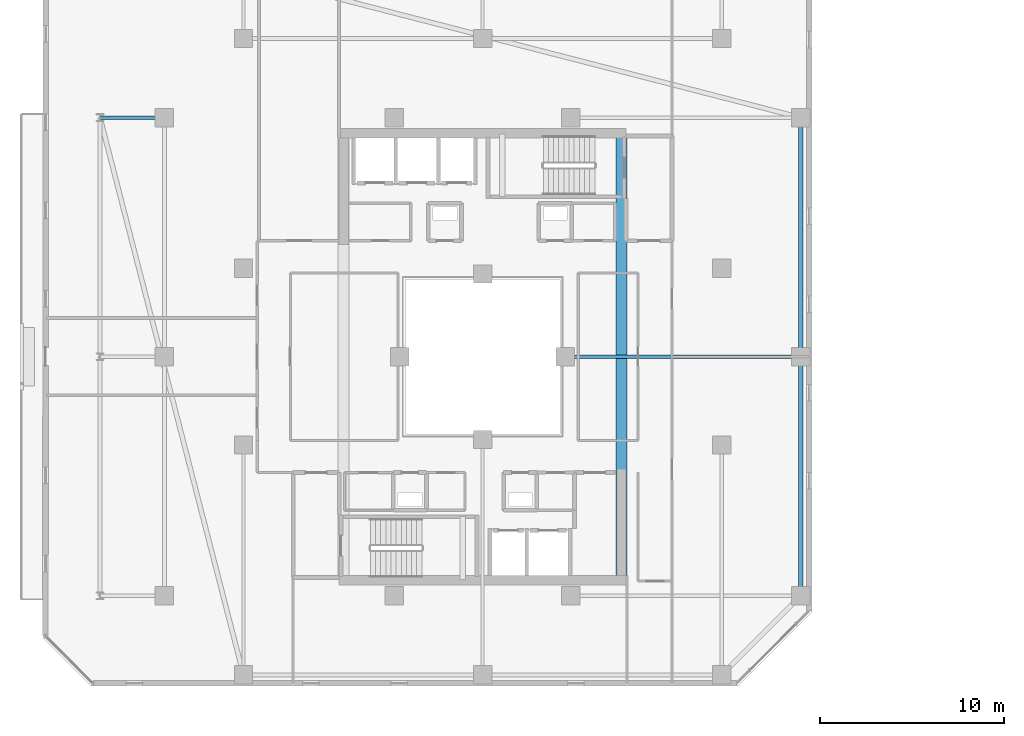
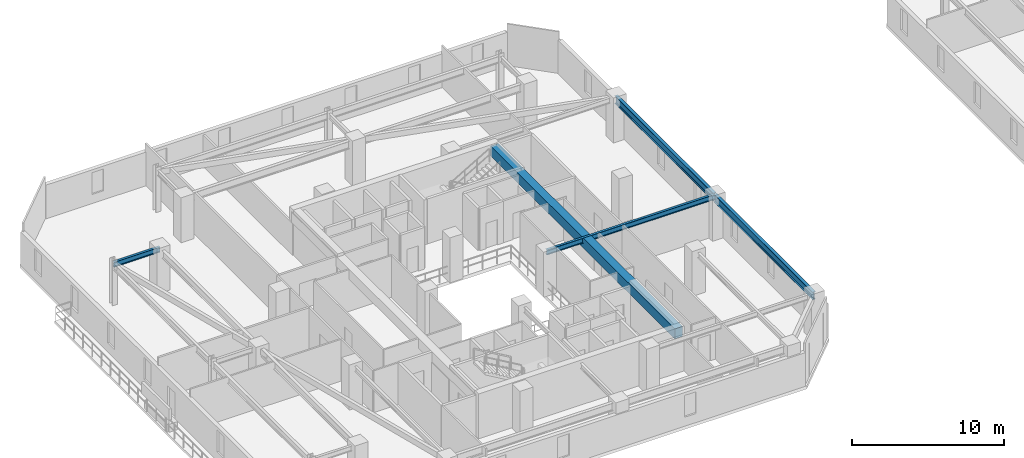
# One storey, part 6 of 33: 5 beams.
"""IFC4 building model written with IfcOpenShell, lengths in metres."""

from ifc_helpers import new_model, si_unit, direction, frame, origin, origin_2d, place, context, subcontext, project, spatial, rectangle, i_section, extrude, material, material_profile, profile_set, type_object, element, save


model = new_model("IFC4")

# Units and contexts
model_context = context("Model", 3, precision=1e-05, world=origin(), true_north=direction((0.0, 1.0)))
body_context = subcontext(model_context, "Body", "Model", "MODEL_VIEW")
ifc_project = project(units=[si_unit("LENGTHUNIT", "METRE"), si_unit("AREAUNIT", "SQUARE_METRE"), si_unit("VOLUMEUNIT", "CUBIC_METRE"), si_unit("PLANEANGLEUNIT", "RADIAN"), si_unit("MASSUNIT", "GRAM", prefix="KILO")], contexts=[model_context])

# Site, building, storey
site_placement = place(None, origin())
site = spatial("IfcSite", under=ifc_project, at=site_placement, CompositionType="ELEMENT")
building_placement = place(site_placement, origin())
building = spatial("IfcBuilding", under=site, at=building_placement, Name="Thornwick Lancets Civic Towers", CompositionType="ELEMENT")
storey_placement = place(building_placement, frame((0.0, 0.0, 203.699951171875)))
storey = spatial("IfcBuildingStorey", under=building, at=storey_placement, Name="L54", CompositionType="ELEMENT", Elevation=203.699951171875)

# Beams
ifc_material_1 = material(Name="Concrete C60/75", Category="concrete")
ifc_material_profile_1 = material_profile(ifc_material_1, rectangle(XDim=0.60009765625, YDim=0.800048828125, at=origin_2d()), Name="RC 600x800")
ifc_profile_set_1 = profile_set([ifc_material_profile_1], Name="Concrete C60/75")
beam_type_1 = type_object("IfcBeamType", Name="BM_COUP_RC800", PredefinedType="BEAM", material=ifc_profile_set_1)
beam_1_placement = place(storey_placement, frame((33.050048828125, 14.89990234375, 2.9599609375), z_axis=(0.0, 1.0, 0.0), x_axis=(-1.0, 0.0, 0.0)))
element("IfcBeam", 1, at=beam_1_placement, inside=storey, type_object=beam_type_1, Name="CB-L54-A1", PredefinedType="BEAM", context=body_context, shape_type="SweptSolid", body=[
    extrude(rectangle(XDim=0.60009765625, YDim=0.800048828125, at=origin_2d()), origin(), (0.0, 0.0, 1.0), 24.2001953125),
])
ifc_material_2 = material(Name="Steel S355JR", Category="steel")
ifc_material_profile_2 = material_profile(ifc_material_2, i_section(OverallWidth=0.230224609375, OverallDepth=0.6171875, WebThickness=0.01318359375, FlangeThickness=0.022216796875, FilletRadius=0.0126953125, at=origin_2d()), Name="UKB 610x229x140")
ifc_profile_set_2 = profile_set([ifc_material_profile_2], Name="Steel S355JR")
beam_type_2 = type_object("IfcBeamType", Name="BM_GIRD_610_140", PredefinedType="BEAM", material=ifc_profile_set_2)
beam_2_placement = place(storey_placement, frame((42.800048828125, 14.0, 3.051513671875), z_axis=(0.0, 1.0, 0.0), x_axis=(-1.0, 0.0, 0.0)))
element("IfcBeam", 2, at=beam_2_placement, inside=storey, type_object=beam_type_2, Name="BM-SPINE-L54-A-3-4", PredefinedType="BEAM", context=body_context, shape_type="SweptSolid", body=[
    extrude(i_section(OverallWidth=0.230224609375, OverallDepth=0.6171875, WebThickness=0.01318359375, FlangeThickness=0.022216796875, FilletRadius=0.0126953125, at=origin_2d()), origin(), (0.0, 0.0, 1.0), 13.0),
])
beam_3_placement = place(storey_placement, frame((42.800048828125, 27.080078125, 3.051513671875), z_axis=(0.0, 1.0, 0.0), x_axis=(-1.0, 0.0, 0.0)))
element("IfcBeam", 3, at=beam_3_placement, inside=storey, type_object=beam_type_2, Name="BM-SPINE-L54-A-4-5", PredefinedType="BEAM", context=body_context, shape_type="SweptSolid", body=[
    extrude(i_section(OverallWidth=0.230224609375, OverallDepth=0.6171875, WebThickness=0.01318359375, FlangeThickness=0.022216796875, FilletRadius=0.0126953125, at=origin_2d()), origin(), (0.0, 0.0, 1.0), 12.919921875),
])
ifc_material_profile_3 = material_profile(ifc_material_2, i_section(OverallWidth=0.179443359375, OverallDepth=0.412841796875, WebThickness=0.009521484375, FlangeThickness=0.01611328125, FilletRadius=0.01025390625, at=origin_2d()), Name="UKB 406x178x74")
ifc_profile_set_3 = profile_set([ifc_material_profile_3], Name="Steel S355JR")
beam_type_3 = type_object("IfcBeamType", Name="BM_JOIST_406_74", PredefinedType="JOIST", material=ifc_profile_set_3)
beam_4_placement = place(storey_placement, frame((30.0, 27.0, 3.153564453125), z_axis=(1.0, 0.0, 0.0), x_axis=(0.0, 1.0, 0.0)))
element("IfcBeam", 4, at=beam_4_placement, inside=storey, type_object=beam_type_3, Name="BM-RADIN-L54-A05", PredefinedType="JOIST", context=body_context, shape_type="SweptSolid", body=[
    extrude(i_section(OverallWidth=0.179443359375, OverallDepth=0.412841796875, WebThickness=0.009521484375, FlangeThickness=0.01611328125, FilletRadius=0.01025390625, at=origin_2d()), origin(), (0.0, 0.0, 1.0), 12.800048828125),
])
beam_5_placement = place(storey_placement, frame((8.199951171875, 40.0, 3.153564453125), z_axis=(-1.0, 0.0, 0.0), x_axis=(0.0, -1.0, 0.0)))
element("IfcBeam", 5, at=beam_5_placement, inside=storey, type_object=beam_type_3, Name="BM-RAD-L54-A12", PredefinedType="JOIST", context=body_context, shape_type="SweptSolid", body=[
    extrude(i_section(OverallWidth=0.179443359375, OverallDepth=0.412841796875, WebThickness=0.009521484375, FlangeThickness=0.01611328125, FilletRadius=0.01025390625, at=origin_2d()), origin(), (0.0, 0.0, 1.0), 3.5),
])

save(model, "model.ifc")
